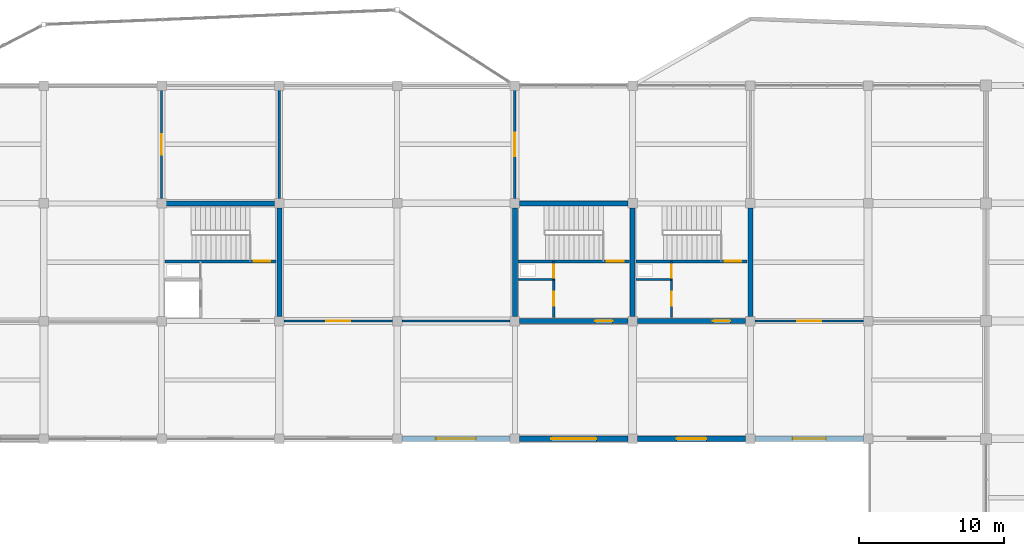
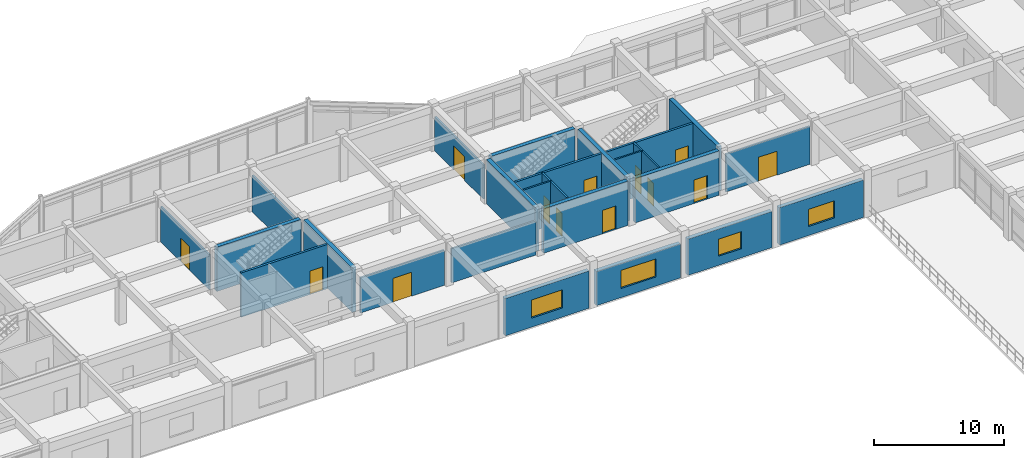
# One storey, part 49 of 70: 27 walls, 13 doors, 4 windows, 17 openings.
"""IFC4 building model written with IfcOpenShell, lengths in metres."""

from ifc_helpers import new_model, si_unit, direction, frame, frame_2d, origin, place, context, subcontext, project, spatial, rectangle, extrude, material, layer, layer_set, type_object, element, fill, save


model = new_model("IFC4")

# Units and contexts
model_context = context("Model", 3, precision=1e-05, world=origin(), true_north=direction((0.0, 1.0)))
body_context = subcontext(model_context, "Body", "Model", "MODEL_VIEW")
ifc_project = project(units=[si_unit("LENGTHUNIT", "METRE"), si_unit("AREAUNIT", "SQUARE_METRE"), si_unit("VOLUMEUNIT", "CUBIC_METRE"), si_unit("PLANEANGLEUNIT", "RADIAN"), si_unit("MASSUNIT", "GRAM", prefix="KILO")], contexts=[model_context])

# Site, building, storey
site_placement = place(None, origin())
site = spatial("IfcSite", under=ifc_project, at=site_placement, CompositionType="ELEMENT")
building_placement = place(site_placement, origin())
building = spatial("IfcBuilding", under=site, at=building_placement, Name="Vaudrelin Polytechnic", CompositionType="ELEMENT")
storey_placement = place(building_placement, frame((0.0, 0.0, 14.110107421875)))
storey = spatial("IfcBuildingStorey", under=building, at=storey_placement, Name="L03", CompositionType="ELEMENT", Elevation=14.110107421875)

# Wall, opening, window
ifc_material_1 = material(Name="Precast concrete 35 MPa with standing-seam zinc rainscreen", Category="concrete")
ifc_layer_1 = layer(ifc_material_1, 0.360107421875)
ifc_layer_set_1 = layer_set([ifc_layer_1], Name="Precast concrete 35 MPa with standing-seam zinc rainscreen")
wall_type_1 = type_object("IfcWallType", Name="WAL-EW-ZINC360", PredefinedType="STANDARD", material=ifc_layer_set_1)
wall_1_placement = place(storey_placement, frame((97.52294921875, 97.199951171875, 0.0), z_axis=(0.0, 0.0, 1.0), x_axis=(1.0, 0.0, 0.0)))
wall_1 = element("IfcWall", 1, at=wall_1_placement, inside=storey, type_object=wall_type_1, Name="Exterior wall L03 S_V5_12", PredefinedType="STANDARD", context=body_context, shape_type="SweptSolid", body=[
    extrude(rectangle(XDim=7.4541015625, YDim=0.360107421875, at=frame_2d((3.72705078125, 0.0))), origin(), (0.0, 0.0, 1.0), 3.501953125),
])
opening_1_placement = place(wall_1_placement, frame((2.35205078125, 0.0, 0.85009765625)))
opening_1 = element("IfcOpeningElement", 2, at=opening_1_placement, cuts=wall_1, Name="Opening W-L03-S-V5-13", PredefinedType="OPENING", context=body_context, shape_type="SweptSolid", body=[
    extrude(rectangle(XDim=2.75, YDim=1.699951171875, at=frame_2d((1.375, 0.85009765625))), frame((0.0, 0.18994140625, 0.0), z_axis=(0.0, -1.0, 0.0), x_axis=(1.0, 0.0, 0.0)), (0.0, 0.0, 1.0), 0.380126953125),
])
ifc_material_2 = material(Name="Thermally broken aluminium frame with triple low-e glazing", Category="aluminium")
window_type_1 = type_object("IfcWindowType", Name="WIN-WN-41", PartitioningType="SINGLE_PANEL", PredefinedType="WINDOW", material=ifc_material_2)
window_1_placement = place(opening_1_placement, origin())
window_1 = element("IfcWindow", 3, at=window_1_placement, inside=storey, type_object=window_type_1, Name="Facade window L03-S_V5_12", OverallHeight=1.699951171875, OverallWidth=2.75, PartitioningType="SINGLE_PANEL", PredefinedType="WINDOW", context=body_context, shape_type="SweptSolid", body=[
    extrude(rectangle(XDim=2.75, YDim=1.699951171875, at=frame_2d((1.375, 0.85009765625))), frame((0.0, 0.030029296875, 0.0), z_axis=(0.0, -1.0, 0.0), x_axis=(1.0, 0.0, 0.0)), (0.0, 0.0, 1.0), 0.06005859375),
])
fill(opening_1, window_1)

wall_2_placement = place(storey_placement, frame((105.623046875, 97.199951171875, 0.0), z_axis=(0.0, 0.0, 1.0), x_axis=(1.0, 0.0, 0.0)))
wall_2 = element("IfcWall", 4, at=wall_2_placement, inside=storey, type_object=wall_type_1, Name="Exterior wall L03 S_V5_13", PredefinedType="STANDARD", context=body_context, shape_type="SweptSolid", body=[
    extrude(rectangle(XDim=7.453857421875, YDim=0.360107421875, at=frame_2d((3.72705078125, 0.0))), origin(), (0.0, 0.0, 1.0), 3.201904296875),
])
opening_2_placement = place(wall_2_placement, frame((2.177001953125, 0.0, 0.85009765625)))
opening_2 = element("IfcOpeningElement", 5, at=opening_2_placement, cuts=wall_2, Name="Opening W-L03-S-V5-14", PredefinedType="OPENING", context=body_context, shape_type="SweptSolid", body=[
    extrude(rectangle(XDim=3.10009765625, YDim=1.699951171875, at=frame_2d((1.550048828125, 0.85009765625))), frame((0.0, 0.18994140625, 0.0), z_axis=(0.0, -1.0, 0.0), x_axis=(1.0, 0.0, 0.0)), (0.0, 0.0, 1.0), 0.380126953125),
])
window_type_2 = type_object("IfcWindowType", Name="WIN-WN-42", PartitioningType="SINGLE_PANEL", PredefinedType="WINDOW", material=ifc_material_2)
window_2_placement = place(opening_2_placement, origin())
window_2 = element("IfcWindow", 6, at=window_2_placement, inside=storey, type_object=window_type_2, Name="Facade window L03-S_V5_13", OverallHeight=1.699951171875, OverallWidth=3.10009765625, PartitioningType="SINGLE_PANEL", PredefinedType="WINDOW", context=body_context, shape_type="SweptSolid", body=[
    extrude(rectangle(XDim=3.10009765625, YDim=1.699951171875, at=frame_2d((1.550048828125, 0.85009765625))), frame((0.0, 0.030029296875, 0.0), z_axis=(0.0, -1.0, 0.0), x_axis=(1.0, 0.0, 0.0)), (0.0, 0.0, 1.0), 0.06005859375),
])
fill(opening_2, window_2)

wall_3_placement = place(storey_placement, frame((113.722900390625, 97.199951171875, 0.0), z_axis=(0.0, 0.0, 1.0), x_axis=(1.0, 0.0, 0.0)))
wall_3 = element("IfcWall", 7, at=wall_3_placement, inside=storey, type_object=wall_type_1, Name="Exterior wall L03 S_V5_14", PredefinedType="STANDARD", context=body_context, shape_type="SweptSolid", body=[
    extrude(rectangle(XDim=7.4541015625, YDim=0.360107421875, at=frame_2d((3.72705078125, 0.0))), origin(), (0.0, 0.0, 1.0), 3.40185546875),
])
opening_3_placement = place(wall_3_placement, frame((2.701904296875, 0.0, 0.85009765625)))
opening_3 = element("IfcOpeningElement", 8, at=opening_3_placement, cuts=wall_3, Name="Opening W-L03-S-V5-15", PredefinedType="OPENING", context=body_context, shape_type="SweptSolid", body=[
    extrude(rectangle(XDim=2.050048828125, YDim=1.60009765625, at=frame_2d((1.02490234375, 0.800048828125))), frame((0.0, 0.18994140625, 0.0), z_axis=(0.0, -1.0, 0.0), x_axis=(1.0, 0.0, 0.0)), (0.0, 0.0, 1.0), 0.380126953125),
])
window_type_3 = type_object("IfcWindowType", Name="WIN-WN-43", PartitioningType="SINGLE_PANEL", PredefinedType="WINDOW", material=ifc_material_2)
window_3_placement = place(opening_3_placement, origin())
window_3 = element("IfcWindow", 9, at=window_3_placement, inside=storey, type_object=window_type_3, Name="Facade window L03-S_V5_14", OverallHeight=1.60009765625, OverallWidth=2.050048828125, PartitioningType="SINGLE_PANEL", PredefinedType="WINDOW", context=body_context, shape_type="SweptSolid", body=[
    extrude(rectangle(XDim=2.050048828125, YDim=1.60009765625, at=frame_2d((1.02490234375, 0.800048828125))), frame((0.0, 0.030029296875, 0.0), z_axis=(0.0, -1.0, 0.0), x_axis=(1.0, 0.0, 0.0)), (0.0, 0.0, 1.0), 0.06005859375),
])
fill(opening_3, window_3)

wall_4_placement = place(storey_placement, frame((121.822998046875, 97.199951171875, 0.0), z_axis=(0.0, 0.0, 1.0), x_axis=(1.0, 0.0, 0.0)))
wall_4 = element("IfcWall", 10, at=wall_4_placement, inside=storey, type_object=wall_type_1, Name="Exterior wall L03 S_V5_15", PredefinedType="STANDARD", context=body_context, shape_type="SweptSolid", body=[
    extrude(rectangle(XDim=7.4541015625, YDim=0.360107421875, at=frame_2d((3.72705078125, 0.0))), origin(), (0.0, 0.0, 1.0), 3.501953125),
])
opening_4_placement = place(wall_4_placement, frame((2.576904296875, 0.0, 0.85009765625)))
opening_4 = element("IfcOpeningElement", 11, at=opening_4_placement, cuts=wall_4, Name="Opening W-L03-S-V5-16", PredefinedType="OPENING", context=body_context, shape_type="SweptSolid", body=[
    extrude(rectangle(XDim=2.300048828125, YDim=1.60009765625, at=frame_2d((1.14990234375, 0.800048828125))), frame((0.0, 0.18994140625, 0.0), z_axis=(0.0, -1.0, 0.0), x_axis=(1.0, 0.0, 0.0)), (0.0, 0.0, 1.0), 0.380126953125),
])
window_type_4 = type_object("IfcWindowType", Name="WIN-WN-44", PartitioningType="SINGLE_PANEL", PredefinedType="WINDOW", material=ifc_material_2)
window_4_placement = place(opening_4_placement, origin())
window_4 = element("IfcWindow", 12, at=window_4_placement, inside=storey, type_object=window_type_4, Name="Facade window L03-S_V5_15", OverallHeight=1.60009765625, OverallWidth=2.300048828125, PartitioningType="SINGLE_PANEL", PredefinedType="WINDOW", context=body_context, shape_type="SweptSolid", body=[
    extrude(rectangle(XDim=2.300048828125, YDim=1.60009765625, at=frame_2d((1.14990234375, 0.800048828125))), frame((0.0, 0.030029296875, 0.0), z_axis=(0.0, -1.0, 0.0), x_axis=(1.0, 0.0, 0.0)), (0.0, 0.0, 1.0), 0.06005859375),
])
fill(opening_4, window_4)

# Wall, opening, door
ifc_material_3 = material(Name="Fire-rated steel-stud gypsum compartment wall", Category="steel")
ifc_layer_2 = layer(ifc_material_3, 0.14990234375)
ifc_layer_set_2 = layer_set([ifc_layer_2], Name="Fire-rated steel-stud gypsum compartment wall")
wall_type_2 = type_object("IfcWallType", Name="WAL-PW-FIRE60", PredefinedType="PARTITIONING", material=ifc_layer_set_2)
wall_5_placement = place(storey_placement, frame((116.080078125, 108.14990234375, 0.0), z_axis=(0.0, 0.0, 1.0), x_axis=(0.0, 1.0, 0.0)))
wall_5 = element("IfcWall", 13, at=wall_5_placement, inside=storey, type_object=wall_type_2, Name="Core C10 riser enclosure wall L03", PredefinedType="PARTITIONING", context=body_context, shape_type="SweptSolid", body=[
    extrude(rectangle(XDim=1.260009765625, YDim=0.14990234375, at=frame_2d((0.6298828125, 0.0))), origin(), (0.0, 0.0, 1.0), 4.15185546875),
])
opening_5_placement = place(wall_5_placement, frame((0.139892578125, 0.0, 0.0)))
opening_5 = element("IfcOpeningElement", 14, at=opening_5_placement, cuts=wall_5, Name="Opening D-L03-222", PredefinedType="OPENING", context=body_context, shape_type="SweptSolid", body=[
    extrude(rectangle(XDim=0.89990234375, YDim=2.14990234375, at=frame_2d((0.449951171875, 1.074951171875))), frame((0.0, 0.0849609375, 0.0), z_axis=(0.0, -1.0, 0.0), x_axis=(1.0, 0.0, 0.0)), (0.0, 0.0, 1.0), 0.169921875),
])
ifc_material_4 = material(Name="Pressed galvanised steel acoustic leaf", Category="steel")
door_type_1 = type_object("IfcDoorType", Name="DOR-ID-RSR1", OperationType="NOTDEFINED", PredefinedType="DOOR", material=ifc_material_4)
door_1_placement = place(opening_5_placement, origin())
door_1 = element("IfcDoor", 15, at=door_1_placement, inside=storey, type_object=door_type_1, Name="Core C10 riser access door L03", OperationType="SINGLE_SWING_RIGHT", OverallHeight=2.14990234375, OverallWidth=0.89990234375, PredefinedType="DOOR", context=body_context, shape_type="SweptSolid", body=[
    extrude(rectangle(XDim=0.89990234375, YDim=2.14990234375, at=frame_2d((0.449951171875, 1.074951171875))), frame((0.0, 0.02490234375, 0.0), z_axis=(0.0, -1.0, 0.0), x_axis=(1.0, 0.0, 0.0)), (0.0, 0.0, 1.0), 0.050048828125),
])
fill(opening_5, door_1)

# Wall
wall_6_placement = place(storey_placement, frame((113.6201171875, 108.14990234375, 0.0), z_axis=(0.0, 0.0, 1.0), x_axis=(1.0, 0.0, 0.0)))
element("IfcWall", 16, at=wall_6_placement, inside=storey, type_object=wall_type_2, Name="Core C10 riser south fire wall L03", PredefinedType="PARTITIONING", context=body_context, shape_type="SweptSolid", body=[
    extrude(rectangle(XDim=2.52978515625, YDim=0.14990234375, at=frame_2d((1.264892578125, 0.0))), origin(), (0.0, 0.0, 1.0), 4.15185546875),
])

# Wall, opening, door
wall_7_placement = place(storey_placement, frame((116.080078125, 105.550048828125, 0.0), z_axis=(0.0, 0.0, 1.0), x_axis=(0.0, 1.0, 0.0)))
wall_7 = element("IfcWall", 17, at=wall_7_placement, inside=storey, type_object=wall_type_2, Name="Core C10 custodial enclosure wall L03", PredefinedType="PARTITIONING", context=body_context, shape_type="SweptSolid", body=[
    extrude(rectangle(XDim=2.599853515625, YDim=0.14990234375, at=frame_2d((1.2998046875, 0.0))), origin(), (0.0, 0.0, 1.0), 4.15185546875),
])
opening_6_placement = place(wall_7_placement, frame((0.800048828125, 0.0, 0.0)))
opening_6 = element("IfcOpeningElement", 18, at=opening_6_placement, cuts=wall_7, Name="Opening D-L03-223", PredefinedType="OPENING", context=body_context, shape_type="SweptSolid", body=[
    extrude(rectangle(XDim=0.949951171875, YDim=2.14990234375, at=frame_2d((0.47509765625, 1.074951171875))), frame((0.0, 0.0849609375, 0.0), z_axis=(0.0, -1.0, 0.0), x_axis=(1.0, 0.0, 0.0)), (0.0, 0.0, 1.0), 0.169921875),
])
door_type_2 = type_object("IfcDoorType", Name="DOR-ID-STR1", OperationType="NOTDEFINED", PredefinedType="DOOR", material=ifc_material_4)
door_2_placement = place(opening_6_placement, origin())
door_2 = element("IfcDoor", 19, at=door_2_placement, inside=storey, type_object=door_type_2, Name="Core C10 custodial door L03", OperationType="SINGLE_SWING_RIGHT", OverallHeight=2.14990234375, OverallWidth=0.949951171875, PredefinedType="DOOR", context=body_context, shape_type="SweptSolid", body=[
    extrude(rectangle(XDim=0.949951171875, YDim=2.14990234375, at=frame_2d((0.47509765625, 1.074951171875))), frame((0.0, 0.02490234375, 0.0), z_axis=(0.0, -1.0, 0.0), x_axis=(1.0, 0.0, 0.0)), (0.0, 0.0, 1.0), 0.050048828125),
])
fill(opening_6, door_2)

wall_8_placement = place(storey_placement, frame((107.97998046875, 108.14990234375, 0.0), z_axis=(0.0, 0.0, 1.0), x_axis=(0.0, 1.0, 0.0)))
wall_8 = element("IfcWall", 20, at=wall_8_placement, inside=storey, type_object=wall_type_2, Name="Core C11 riser enclosure wall L03", PredefinedType="PARTITIONING", context=body_context, shape_type="SweptSolid", body=[
    extrude(rectangle(XDim=1.260009765625, YDim=0.14990234375, at=frame_2d((0.6298828125, 0.0))), origin(), (0.0, 0.0, 1.0), 4.15185546875),
])
opening_7_placement = place(wall_8_placement, frame((0.139892578125, 0.0, 0.0)))
opening_7 = element("IfcOpeningElement", 21, at=opening_7_placement, cuts=wall_8, Name="Opening D-L03-251", PredefinedType="OPENING", context=body_context, shape_type="SweptSolid", body=[
    extrude(rectangle(XDim=0.89990234375, YDim=2.14990234375, at=frame_2d((0.449951171875, 1.074951171875))), frame((0.0, 0.0849609375, 0.0), z_axis=(0.0, -1.0, 0.0), x_axis=(1.0, 0.0, 0.0)), (0.0, 0.0, 1.0), 0.169921875),
])
door_3_placement = place(opening_7_placement, origin())
door_3 = element("IfcDoor", 22, at=door_3_placement, inside=storey, type_object=door_type_1, Name="Core C11 riser access door L03", OperationType="SINGLE_SWING_RIGHT", OverallHeight=2.14990234375, OverallWidth=0.89990234375, PredefinedType="DOOR", context=body_context, shape_type="SweptSolid", body=[
    extrude(rectangle(XDim=0.89990234375, YDim=2.14990234375, at=frame_2d((0.449951171875, 1.074951171875))), frame((0.0, 0.02490234375, 0.0), z_axis=(0.0, -1.0, 0.0), x_axis=(1.0, 0.0, 0.0)), (0.0, 0.0, 1.0), 0.050048828125),
])
fill(opening_7, door_3)

# Wall
wall_9_placement = place(storey_placement, frame((105.52001953125, 108.14990234375, 0.0), z_axis=(0.0, 0.0, 1.0), x_axis=(1.0, 0.0, 0.0)))
element("IfcWall", 23, at=wall_9_placement, inside=storey, type_object=wall_type_2, Name="Core C11 riser south fire wall L03", PredefinedType="PARTITIONING", context=body_context, shape_type="SweptSolid", body=[
    extrude(rectangle(XDim=2.530029296875, YDim=0.14990234375, at=frame_2d((1.26513671875, 0.0))), origin(), (0.0, 0.0, 1.0), 4.15185546875),
])

# Wall, opening, door
wall_10_placement = place(storey_placement, frame((107.97998046875, 105.550048828125, 0.0), z_axis=(0.0, 0.0, 1.0), x_axis=(0.0, 1.0, 0.0)))
wall_10 = element("IfcWall", 24, at=wall_10_placement, inside=storey, type_object=wall_type_2, Name="Core C11 custodial enclosure wall L03", PredefinedType="PARTITIONING", context=body_context, shape_type="SweptSolid", body=[
    extrude(rectangle(XDim=2.599853515625, YDim=0.14990234375, at=frame_2d((1.2998046875, 0.0))), origin(), (0.0, 0.0, 1.0), 4.15185546875),
])
opening_8_placement = place(wall_10_placement, frame((0.800048828125, 0.0, 0.0)))
opening_8 = element("IfcOpeningElement", 25, at=opening_8_placement, cuts=wall_10, Name="Opening D-L03-252", PredefinedType="OPENING", context=body_context, shape_type="SweptSolid", body=[
    extrude(rectangle(XDim=0.949951171875, YDim=2.14990234375, at=frame_2d((0.47509765625, 1.074951171875))), frame((0.0, 0.0849609375, 0.0), z_axis=(0.0, -1.0, 0.0), x_axis=(1.0, 0.0, 0.0)), (0.0, 0.0, 1.0), 0.169921875),
])
door_4_placement = place(opening_8_placement, origin())
door_4 = element("IfcDoor", 26, at=door_4_placement, inside=storey, type_object=door_type_2, Name="Core C11 custodial door L03", OperationType="SINGLE_SWING_RIGHT", OverallHeight=2.14990234375, OverallWidth=0.949951171875, PredefinedType="DOOR", context=body_context, shape_type="SweptSolid", body=[
    extrude(rectangle(XDim=0.949951171875, YDim=2.14990234375, at=frame_2d((0.47509765625, 1.074951171875))), frame((0.0, 0.02490234375, 0.0), z_axis=(0.0, -1.0, 0.0), x_axis=(1.0, 0.0, 0.0)), (0.0, 0.0, 1.0), 0.050048828125),
])
fill(opening_8, door_4)

ifc_material_5 = material(Name="Acoustic steel-stud office & study room partition", Category="steel")
ifc_layer_3 = layer(ifc_material_5, 0.135009765625)
ifc_layer_set_3 = layer_set([ifc_layer_3], Name="Acoustic steel-stud office & study room partition")
wall_type_3 = type_object("IfcWallType", Name="WAL-PW-OFF135", PredefinedType="PARTITIONING", material=ifc_layer_set_3)
wall_11_placement = place(storey_placement, frame((81.0, 113.722900390625, 0.0), z_axis=(0.0, 0.0, 1.0), x_axis=(0.0, 1.0, 0.0)))
wall_11 = element("IfcWall", 27, at=wall_11_placement, inside=storey, type_object=wall_type_3, Name="Partition L03-004 E", PredefinedType="PARTITIONING", context=body_context, shape_type="SweptSolid", body=[
    extrude(rectangle(XDim=7.4541015625, YDim=0.135009765625, at=frame_2d((3.72705078125, 0.0))), origin(), (0.0, 0.0, 1.0), 3.302001953125),
])
opening_9_placement = place(wall_11_placement, frame((3.027099609375, 0.0, 0.0)))
opening_9 = element("IfcOpeningElement", 28, at=opening_9_placement, cuts=wall_11, Name="Opening D-L03-514", PredefinedType="OPENING", context=body_context, shape_type="SweptSolid", body=[
    extrude(rectangle(XDim=1.39990234375, YDim=2.199951171875, at=frame_2d((0.699951171875, 1.10009765625))), frame((0.0, 0.07763671875, 0.0), z_axis=(0.0, -1.0, 0.0), x_axis=(1.0, 0.0, 0.0)), (0.0, 0.0, 1.0), 0.155029296875),
])
ifc_material_6 = material(Name="Solid-core birch veneer acoustic leaf", Category="wood")
door_type_3 = type_object("IfcDoorType", Name="DOR-ID-STU1", OperationType="NOTDEFINED", PredefinedType="DOOR", material=ifc_material_6)
door_5_placement = place(opening_9_placement, origin())
door_5 = element("IfcDoor", 29, at=door_5_placement, inside=storey, type_object=door_type_3, Name="Cartography Map Table Alcove door L03-022", OperationType="DOUBLE_SWING_LEFT", OverallHeight=2.199951171875, OverallWidth=1.39990234375, PredefinedType="DOOR", context=body_context, shape_type="SweptSolid", body=[
    extrude(rectangle(XDim=1.39990234375, YDim=2.199951171875, at=frame_2d((0.699951171875, 1.10009765625))), frame((0.0, 0.02490234375, 0.0), z_axis=(0.0, -1.0, 0.0), x_axis=(1.0, 0.0, 0.0)), (0.0, 0.0, 1.0), 0.050048828125),
])
fill(opening_9, door_5)

ifc_material_7 = material(Name="Pin-up plywood & acoustic gypsum studio partition", Category="wood")
ifc_layer_4 = layer(ifc_material_7, 0.14990234375)
ifc_layer_set_4 = layer_set([ifc_layer_4], Name="Pin-up plywood & acoustic gypsum studio partition")
wall_type_4 = type_object("IfcWallType", Name="WAL-PW-STU150", PredefinedType="PARTITIONING", material=ifc_layer_set_4)
wall_12_placement = place(storey_placement, frame((89.423095703125, 105.300048828125, 0.0), z_axis=(0.0, 0.0, 1.0), x_axis=(1.0, 0.0, 0.0)))
wall_12 = element("IfcWall", 30, at=wall_12_placement, inside=storey, type_object=wall_type_4, Name="Partition L03-005 S", PredefinedType="PARTITIONING", context=body_context, shape_type="SweptSolid", body=[
    extrude(rectangle(XDim=7.453857421875, YDim=0.14990234375, at=frame_2d((3.72705078125, 0.0))), origin(), (0.0, 0.0, 1.0), 3.302001953125),
])
opening_10_placement = place(wall_12_placement, frame((2.906982421875, 0.0, 0.0)))
opening_10 = element("IfcOpeningElement", 31, at=opening_10_placement, cuts=wall_12, Name="Opening D-L03-499", PredefinedType="OPENING", context=body_context, shape_type="SweptSolid", body=[
    extrude(rectangle(XDim=1.639892578125, YDim=2.25, at=frame_2d((0.81982421875, 1.125))), frame((0.0, 0.0849609375, 0.0), z_axis=(0.0, -1.0, 0.0), x_axis=(1.0, 0.0, 0.0)), (0.0, 0.0, 1.0), 0.169921875),
])
door_type_4 = type_object("IfcDoorType", Name="DOR-ID-STU2", OperationType="NOTDEFINED", PredefinedType="DOOR", material=ifc_material_6)
door_6_placement = place(opening_10_placement, origin())
door_6 = element("IfcDoor", 32, at=door_6_placement, inside=storey, type_object=door_type_4, Name="Urban Infrastructure Design Studio door L03-005", OperationType="DOUBLE_SWING_LEFT", OverallHeight=2.25, OverallWidth=1.639892578125, PredefinedType="DOOR", context=body_context, shape_type="SweptSolid", body=[
    extrude(rectangle(XDim=1.639892578125, YDim=2.25, at=frame_2d((0.81982421875, 1.125))), frame((0.0, 0.02490234375, 0.0), z_axis=(0.0, -1.0, 0.0), x_axis=(1.0, 0.0, 0.0)), (0.0, 0.0, 1.0), 0.050048828125),
])
fill(opening_10, door_6)

# Wall
wall_13_placement = place(storey_placement, frame((97.52294921875, 105.300048828125, 0.0), z_axis=(0.0, 0.0, 1.0), x_axis=(1.0, 0.0, 0.0)))
element("IfcWall", 33, at=wall_13_placement, inside=storey, type_object=wall_type_4, Name="Partition L03-005 S", PredefinedType="PARTITIONING", context=body_context, shape_type="SweptSolid", body=[
    extrude(rectangle(XDim=7.4541015625, YDim=0.14990234375, at=frame_2d((3.72705078125, 0.0))), origin(), (0.0, 0.0, 1.0), 3.201904296875),
])

# Wall, opening, door
wall_14_placement = place(storey_placement, frame((105.300048828125, 113.722900390625, 0.0), z_axis=(0.0, 0.0, 1.0), x_axis=(0.0, 1.0, 0.0)))
wall_14 = element("IfcWall", 34, at=wall_14_placement, inside=storey, type_object=wall_type_4, Name="Partition L03-005 E", PredefinedType="PARTITIONING", context=body_context, shape_type="SweptSolid", body=[
    extrude(rectangle(XDim=7.4541015625, YDim=0.14990234375, at=frame_2d((3.72705078125, 0.0))), origin(), (0.0, 0.0, 1.0), 3.201904296875),
])
opening_11_placement = place(wall_14_placement, frame((2.906982421875, 0.0, 0.0)))
opening_11 = element("IfcOpeningElement", 35, at=opening_11_placement, cuts=wall_14, Name="Opening D-L03-515", PredefinedType="OPENING", context=body_context, shape_type="SweptSolid", body=[
    extrude(rectangle(XDim=1.639892578125, YDim=2.25, at=frame_2d((0.81982421875, 1.125))), frame((0.0, 0.0849609375, 0.0), z_axis=(0.0, -1.0, 0.0), x_axis=(1.0, 0.0, 0.0)), (0.0, 0.0, 1.0), 0.169921875),
])
door_7_placement = place(opening_11_placement, origin())
door_7 = element("IfcDoor", 36, at=door_7_placement, inside=storey, type_object=door_type_4, Name="Photogrammetry Plotting Studio door L03-023", OperationType="DOUBLE_SWING_LEFT", OverallHeight=2.25, OverallWidth=1.639892578125, PredefinedType="DOOR", context=body_context, shape_type="SweptSolid", body=[
    extrude(rectangle(XDim=1.639892578125, YDim=2.25, at=frame_2d((0.81982421875, 1.125))), frame((0.0, 0.02490234375, 0.0), z_axis=(0.0, -1.0, 0.0), x_axis=(1.0, 0.0, 0.0)), (0.0, 0.0, 1.0), 0.050048828125),
])
fill(opening_11, door_7)

# Wall
wall_15_placement = place(storey_placement, frame((89.10009765625, 113.722900390625, 0.0), z_axis=(0.0, 0.0, 1.0), x_axis=(0.0, 1.0, 0.0)))
element("IfcWall", 37, at=wall_15_placement, inside=storey, type_object=wall_type_4, Name="Partition L03-005 W", PredefinedType="PARTITIONING", context=body_context, shape_type="SweptSolid", body=[
    extrude(rectangle(XDim=7.4541015625, YDim=0.14990234375, at=frame_2d((3.72705078125, 0.0))), origin(), (0.0, 0.0, 1.0), 3.40185546875),
])

# Wall, opening, door
wall_16_placement = place(storey_placement, frame((121.822998046875, 105.300048828125, 0.0), z_axis=(0.0, 0.0, 1.0), x_axis=(1.0, 0.0, 0.0)))
wall_16 = element("IfcWall", 38, at=wall_16_placement, inside=storey, type_object=wall_type_4, Name="Partition L03-006 S", PredefinedType="PARTITIONING", context=body_context, shape_type="SweptSolid", body=[
    extrude(rectangle(XDim=7.4541015625, YDim=0.14990234375, at=frame_2d((3.72705078125, 0.0))), origin(), (0.0, 0.0, 1.0), 3.552001953125),
])
opening_12_placement = place(wall_16_placement, frame((2.906982421875, 0.0, 0.0)))
opening_12 = element("IfcOpeningElement", 39, at=opening_12_placement, cuts=wall_16, Name="Opening D-L03-500", PredefinedType="OPENING", context=body_context, shape_type="SweptSolid", body=[
    extrude(rectangle(XDim=1.639892578125, YDim=2.25, at=frame_2d((0.81982421875, 1.125))), frame((0.0, 0.0849609375, 0.0), z_axis=(0.0, -1.0, 0.0), x_axis=(1.0, 0.0, 0.0)), (0.0, 0.0, 1.0), 0.169921875),
])
door_8_placement = place(opening_12_placement, origin())
door_8 = element("IfcDoor", 40, at=door_8_placement, inside=storey, type_object=door_type_4, Name="Geomatics and Survey Studio door L03-006", OperationType="DOUBLE_SWING_LEFT", OverallHeight=2.25, OverallWidth=1.639892578125, PredefinedType="DOOR", context=body_context, shape_type="SweptSolid", body=[
    extrude(rectangle(XDim=1.639892578125, YDim=2.25, at=frame_2d((0.81982421875, 1.125))), frame((0.0, 0.02490234375, 0.0), z_axis=(0.0, -1.0, 0.0), x_axis=(1.0, 0.0, 0.0)), (0.0, 0.0, 1.0), 0.050048828125),
])
fill(opening_12, door_8)

ifc_material_8 = material(Name="Concrete 40 MPa", Category="concrete")
ifc_layer_5 = layer(ifc_material_8, 0.199951171875)
ifc_layer_set_5 = layer_set([ifc_layer_5], Name="Concrete 40 MPa")
wall_type_5 = type_object("IfcWallType", Name="WAL-SW-CORE200", PredefinedType="SHEAR", material=ifc_layer_set_5)
wall_17_placement = place(storey_placement, frame((81.219970703125, 109.409912109375, 0.0), z_axis=(0.0, 0.0, 1.0), x_axis=(1.0, 0.0, 0.0)))
wall_17 = element("IfcWall", 41, at=wall_17_placement, inside=storey, type_object=wall_type_5, Name="Core C2 stair enclosure wall L03", PredefinedType="SHEAR", context=body_context, shape_type="SweptSolid", body=[
    extrude(rectangle(XDim=7.659912109375, YDim=0.199951171875, at=frame_2d((3.830078125, 0.0))), origin(), (0.0, 0.0, 1.0), 4.15185546875),
])
opening_13_placement = place(wall_17_placement, frame((6.110107421875, 0.0, 0.0)))
opening_13 = element("IfcOpeningElement", 42, at=opening_13_placement, cuts=wall_17, Name="Opening D-L03-037", PredefinedType="OPENING", context=body_context, shape_type="SweptSolid", body=[
    extrude(rectangle(XDim=1.14990234375, YDim=2.199951171875, at=frame_2d((0.574951171875, 1.10009765625))), frame((0.0, 0.10986328125, 0.0), z_axis=(0.0, -1.0, 0.0), x_axis=(1.0, 0.0, 0.0)), (0.0, 0.0, 1.0), 0.219970703125),
])
door_type_5 = type_object("IfcDoorType", Name="DOR-ID-ST1", OperationType="NOTDEFINED", PredefinedType="DOOR", material=ifc_material_4)
door_9_placement = place(opening_13_placement, origin())
door_9 = element("IfcDoor", 43, at=door_9_placement, inside=storey, type_object=door_type_5, Name="Core C2 exit stair door L03", OperationType="SINGLE_SWING_LEFT", OverallHeight=2.199951171875, OverallWidth=1.14990234375, PredefinedType="DOOR", context=body_context, shape_type="SweptSolid", body=[
    extrude(rectangle(XDim=1.14990234375, YDim=2.199951171875, at=frame_2d((0.574951171875, 1.10009765625))), frame((0.0, 0.02490234375, 0.0), z_axis=(0.0, -1.0, 0.0), x_axis=(1.0, 0.0, 0.0)), (0.0, 0.0, 1.0), 0.050048828125),
])
fill(opening_13, door_9)

wall_18_placement = place(storey_placement, frame((113.6201171875, 109.409912109375, 0.0), z_axis=(0.0, 0.0, 1.0), x_axis=(1.0, 0.0, 0.0)))
wall_18 = element("IfcWall", 44, at=wall_18_placement, inside=storey, type_object=wall_type_5, Name="Core C10 stair enclosure wall L03", PredefinedType="SHEAR", context=body_context, shape_type="SweptSolid", body=[
    extrude(rectangle(XDim=7.659912109375, YDim=0.199951171875, at=frame_2d((3.830078125, 0.0))), origin(), (0.0, 0.0, 1.0), 4.15185546875),
])
opening_14_placement = place(wall_18_placement, frame((6.110107421875, 0.0, 0.0)))
opening_14 = element("IfcOpeningElement", 45, at=opening_14_placement, cuts=wall_18, Name="Opening D-L03-221", PredefinedType="OPENING", context=body_context, shape_type="SweptSolid", body=[
    extrude(rectangle(XDim=1.14990234375, YDim=2.199951171875, at=frame_2d((0.574951171875, 1.10009765625))), frame((0.0, 0.10986328125, 0.0), z_axis=(0.0, -1.0, 0.0), x_axis=(1.0, 0.0, 0.0)), (0.0, 0.0, 1.0), 0.219970703125),
])
door_10_placement = place(opening_14_placement, origin())
door_10 = element("IfcDoor", 46, at=door_10_placement, inside=storey, type_object=door_type_5, Name="Core C10 exit stair door L03", OperationType="SINGLE_SWING_LEFT", OverallHeight=2.199951171875, OverallWidth=1.14990234375, PredefinedType="DOOR", context=body_context, shape_type="SweptSolid", body=[
    extrude(rectangle(XDim=1.14990234375, YDim=2.199951171875, at=frame_2d((0.574951171875, 1.10009765625))), frame((0.0, 0.02490234375, 0.0), z_axis=(0.0, -1.0, 0.0), x_axis=(1.0, 0.0, 0.0)), (0.0, 0.0, 1.0), 0.050048828125),
])
fill(opening_14, door_10)

wall_19_placement = place(storey_placement, frame((105.52001953125, 109.409912109375, 0.0), z_axis=(0.0, 0.0, 1.0), x_axis=(1.0, 0.0, 0.0)))
wall_19 = element("IfcWall", 47, at=wall_19_placement, inside=storey, type_object=wall_type_5, Name="Core C11 stair enclosure wall L03", PredefinedType="SHEAR", context=body_context, shape_type="SweptSolid", body=[
    extrude(rectangle(XDim=7.659912109375, YDim=0.199951171875, at=frame_2d((3.830078125, 0.0))), origin(), (0.0, 0.0, 1.0), 4.15185546875),
])
opening_15_placement = place(wall_19_placement, frame((6.110107421875, 0.0, 0.0)))
opening_15 = element("IfcOpeningElement", 48, at=opening_15_placement, cuts=wall_19, Name="Opening D-L03-250", PredefinedType="OPENING", context=body_context, shape_type="SweptSolid", body=[
    extrude(rectangle(XDim=1.14990234375, YDim=2.199951171875, at=frame_2d((0.574951171875, 1.10009765625))), frame((0.0, 0.10986328125, 0.0), z_axis=(0.0, -1.0, 0.0), x_axis=(1.0, 0.0, 0.0)), (0.0, 0.0, 1.0), 0.219970703125),
])
door_11_placement = place(opening_15_placement, origin())
door_11 = element("IfcDoor", 49, at=door_11_placement, inside=storey, type_object=door_type_5, Name="Core C11 exit stair door L03", OperationType="SINGLE_SWING_LEFT", OverallHeight=2.199951171875, OverallWidth=1.14990234375, PredefinedType="DOOR", context=body_context, shape_type="SweptSolid", body=[
    extrude(rectangle(XDim=1.14990234375, YDim=2.199951171875, at=frame_2d((0.574951171875, 1.10009765625))), frame((0.0, 0.02490234375, 0.0), z_axis=(0.0, -1.0, 0.0), x_axis=(1.0, 0.0, 0.0)), (0.0, 0.0, 1.0), 0.050048828125),
])
fill(opening_15, door_11)

# Walls
ifc_material_9 = material(Name="Concrete 50 MPa", Category="concrete")
ifc_layer_6 = layer(ifc_material_9, 0.35009765625)
ifc_layer_set_6 = layer_set([ifc_layer_6], Name="Concrete 50 MPa")
wall_type_6 = type_object("IfcWallType", Name="WAL-SW-CORE350", PredefinedType="SHEAR", material=ifc_layer_set_6)
wall_20_placement = place(storey_placement, frame((81.322998046875, 113.39990234375, 0.0), z_axis=(0.0, 0.0, 1.0), x_axis=(1.0, 0.0, 0.0)))
element("IfcWall", 50, at=wall_20_placement, inside=storey, type_object=wall_type_6, Name="Core C2 N shear wall L03", PredefinedType="SHEAR", context=body_context, shape_type="SweptSolid", body=[
    extrude(rectangle(XDim=7.4541015625, YDim=0.35009765625, at=frame_2d((3.72705078125, 0.0))), origin(), (0.0, 0.0, 1.0), 4.15185546875),
])
for number, where, z_axis, x_axis, name in (
    (51, (89.10009765625, 105.623046875, 0.0), (0.0, 0.0, 1.0), (0.0, 1.0, 0.0), "Core C2 E shear wall L03"),
    (52, (113.39990234375, 105.623046875, 0.0), (0.0, 0.0, 1.0), (0.0, 1.0, 0.0), "Core C10 W shear wall L03"),
    (53, (121.5, 105.623046875, 0.0), (0.0, 0.0, 1.0), (0.0, 1.0, 0.0), "Core C10 E shear wall L03"),
):
    element("IfcWall", number, at=place(storey_placement, frame(where, z_axis=z_axis, x_axis=x_axis)), inside=storey, type_object=wall_type_6, Name=name, PredefinedType="SHEAR", context=body_context, shape_type="SweptSolid", body=[
        extrude(rectangle(XDim=7.453857421875, YDim=0.35009765625, at=frame_2d((3.72705078125, 0.0))), origin(), (0.0, 0.0, 1.0), 4.15185546875),
    ])

# Wall, opening, door
wall_21_placement = place(storey_placement, frame((113.722900390625, 105.300048828125, 0.0), z_axis=(0.0, 0.0, 1.0), x_axis=(1.0, 0.0, 0.0)))
wall_21 = element("IfcWall", 54, at=wall_21_placement, inside=storey, type_object=wall_type_6, Name="Core C10 S shear wall L03", PredefinedType="SHEAR", context=body_context, shape_type="SweptSolid", body=[
    extrude(rectangle(XDim=7.4541015625, YDim=0.35009765625, at=frame_2d((3.72705078125, 0.0))), origin(), (0.0, 0.0, 1.0), 4.15185546875),
])
opening_16_placement = place(wall_21_placement, frame((5.2041015625, 0.0, 0.0)))
opening_16 = element("IfcOpeningElement", 55, at=opening_16_placement, cuts=wall_21, Name="Opening D-L03-220", PredefinedType="OPENING", context=body_context, shape_type="SweptSolid", body=[
    extrude(rectangle(XDim=1.199951171875, YDim=2.199951171875, at=frame_2d((0.60009765625, 1.10009765625))), frame((0.0, 0.18505859375, 0.0), z_axis=(0.0, -1.0, 0.0), x_axis=(1.0, 0.0, 0.0)), (0.0, 0.0, 1.0), 0.3701171875),
])
door_type_6 = type_object("IfcDoorType", Name="DOR-ID-LB1", OperationType="NOTDEFINED", PredefinedType="DOOR", material=ifc_material_4)
door_12_placement = place(opening_16_placement, origin())
door_12 = element("IfcDoor", 56, at=door_12_placement, inside=storey, type_object=door_type_6, Name="Core C10 lobby fire door L03", OperationType="SINGLE_SWING_LEFT", OverallHeight=2.199951171875, OverallWidth=1.199951171875, PredefinedType="DOOR", context=body_context, shape_type="SweptSolid", body=[
    extrude(rectangle(XDim=1.199951171875, YDim=2.199951171875, at=frame_2d((0.60009765625, 1.10009765625))), frame((0.0, 0.02490234375, 0.0), z_axis=(0.0, -1.0, 0.0), x_axis=(1.0, 0.0, 0.0)), (0.0, 0.0, 1.0), 0.050048828125),
])
fill(opening_16, door_12)

# Walls
for number, where, z_axis, x_axis, name in (
    (57, (105.623046875, 113.39990234375, 0.0), (0.0, 0.0, 1.0), (1.0, 0.0, 0.0), "Core C11 N shear wall L03"),
    (58, (105.300048828125, 105.623046875, 0.0), (0.0, 0.0, 1.0), (0.0, 1.0, 0.0), "Core C11 W shear wall L03"),
):
    element("IfcWall", number, at=place(storey_placement, frame(where, z_axis=z_axis, x_axis=x_axis)), inside=storey, type_object=wall_type_6, Name=name, PredefinedType="SHEAR", context=body_context, shape_type="SweptSolid", body=[
        extrude(rectangle(XDim=7.453857421875, YDim=0.35009765625, at=frame_2d((3.72705078125, 0.0))), origin(), (0.0, 0.0, 1.0), 4.15185546875),
    ])

# Wall, opening, door
wall_22_placement = place(storey_placement, frame((105.623046875, 105.300048828125, 0.0), z_axis=(0.0, 0.0, 1.0), x_axis=(1.0, 0.0, 0.0)))
wall_22 = element("IfcWall", 59, at=wall_22_placement, inside=storey, type_object=wall_type_6, Name="Core C11 S shear wall L03", PredefinedType="SHEAR", context=body_context, shape_type="SweptSolid", body=[
    extrude(rectangle(XDim=7.453857421875, YDim=0.35009765625, at=frame_2d((3.72705078125, 0.0))), origin(), (0.0, 0.0, 1.0), 4.15185546875),
])
opening_17_placement = place(wall_22_placement, frame((5.2041015625, 0.0, 0.0)))
opening_17 = element("IfcOpeningElement", 60, at=opening_17_placement, cuts=wall_22, Name="Opening D-L03-249", PredefinedType="OPENING", context=body_context, shape_type="SweptSolid", body=[
    extrude(rectangle(XDim=1.199951171875, YDim=2.199951171875, at=frame_2d((0.60009765625, 1.10009765625))), frame((0.0, 0.18505859375, 0.0), z_axis=(0.0, -1.0, 0.0), x_axis=(1.0, 0.0, 0.0)), (0.0, 0.0, 1.0), 0.3701171875),
])
door_13_placement = place(opening_17_placement, origin())
door_13 = element("IfcDoor", 61, at=door_13_placement, inside=storey, type_object=door_type_6, Name="Core C11 lobby fire door L03", OperationType="SINGLE_SWING_RIGHT", OverallHeight=2.199951171875, OverallWidth=1.199951171875, PredefinedType="DOOR", context=body_context, shape_type="SweptSolid", body=[
    extrude(rectangle(XDim=1.199951171875, YDim=2.199951171875, at=frame_2d((0.60009765625, 1.10009765625))), frame((0.0, 0.02490234375, 0.0), z_axis=(0.0, -1.0, 0.0), x_axis=(1.0, 0.0, 0.0)), (0.0, 0.0, 1.0), 0.050048828125),
])
fill(opening_17, door_13)

save(model, "model.ifc")
